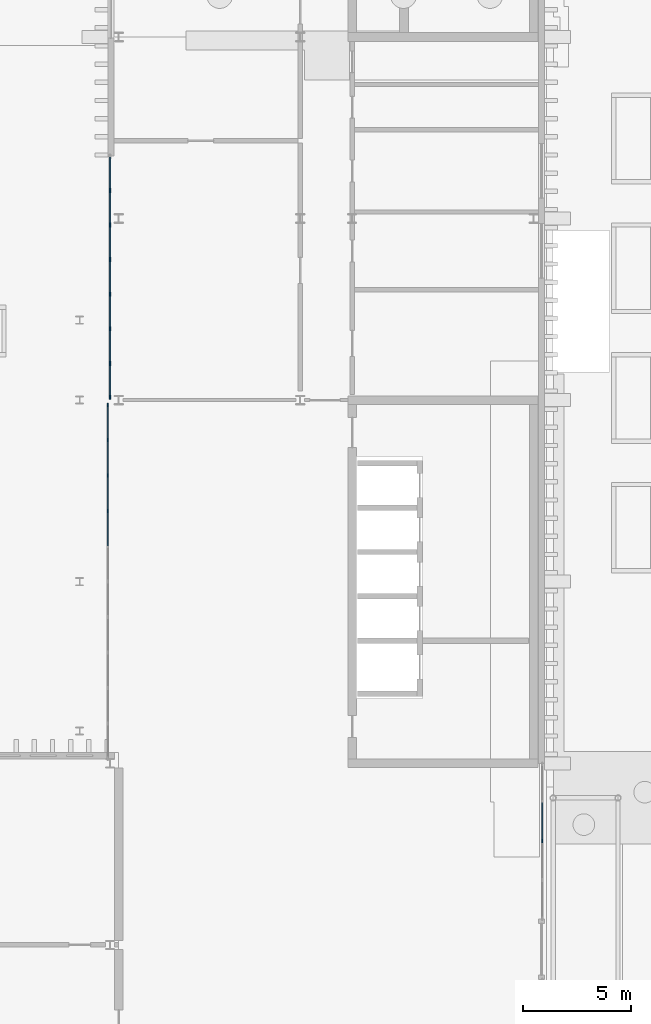
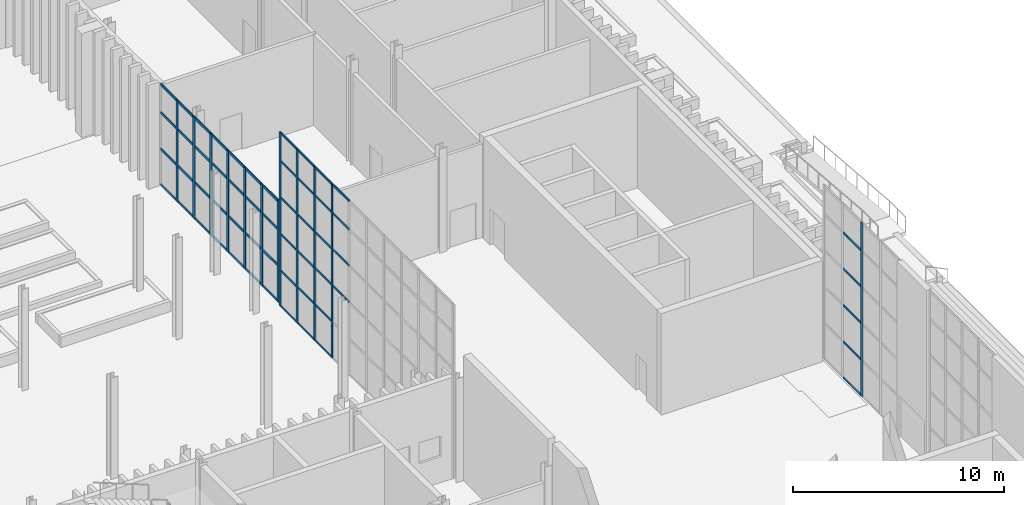
# One storey, part 41 of 108: 67 members, 3 elements without a shape of their own.
"""IFC4 building model written with IfcOpenShell, lengths in metres."""

from ifc_helpers import new_model, si_unit, direction, frame, origin, origin_2d, place, context, subcontext, project, spatial, rectangle, extrude, material, material_profile, profile_set, type_object, element, aggregate, save


model = new_model("IFC4")

# Units and contexts
model_context = context("Model", 3, precision=1e-05, world=origin(), true_north=direction((0.0, 1.0)))
body_context = subcontext(model_context, "Body", "Model", "MODEL_VIEW")
ifc_project = project(units=[si_unit("LENGTHUNIT", "METRE"), si_unit("AREAUNIT", "SQUARE_METRE"), si_unit("VOLUMEUNIT", "CUBIC_METRE"), si_unit("PLANEANGLEUNIT", "RADIAN"), si_unit("MASSUNIT", "GRAM", prefix="KILO")], contexts=[model_context])

# Site, building, storey
site_placement = place(None, origin())
site = spatial("IfcSite", under=ifc_project, at=site_placement, CompositionType="ELEMENT")
building_placement = place(site_placement, origin())
building = spatial("IfcBuilding", under=site, at=building_placement, Name="Cresset Court Congress Hotel", CompositionType="ELEMENT")
storey_placement = place(building_placement, origin())
storey = spatial("IfcBuildingStorey", under=building, at=storey_placement, Name="L00", CompositionType="ELEMENT", Elevation=0.0)

# Curtain wall, members
ifc_material_1 = material(Name="Aluminium and glass", Category="aluminium")
curtain_wall_type = type_object("IfcCurtainWallType", Name="Curtain wall 1680 module", PredefinedType="NOTDEFINED", material=ifc_material_1)
curtain_wall_1_placement = place(storey_placement, origin())
curtain_wall_1 = element("IfcCurtainWall", 1, at=curtain_wall_1_placement, inside=storey, type_object=curtain_wall_type, Name="Lobby glazing west", PredefinedType="NOTDEFINED")
ifc_material_2 = material(Name="Anodised aluminium", Category="aluminium")
ifc_material_profile_1 = material_profile(ifc_material_2, rectangle(XDim=0.06005859375, YDim=0.159912109375, at=origin_2d()), Name="AL60x160")
ifc_profile_set_1 = profile_set([ifc_material_profile_1], Name="Anodised aluminium")
member_type_1 = type_object("IfcMemberType", Name="Curtain wall mullion 60x160", PredefinedType="MULLION", material=ifc_profile_set_1)
member_1_placement = place(storey_placement, frame((156.699951171875, 36.8798828125, 0.0), z_axis=(0.0, 0.0, 1.0), x_axis=(-1.0, 0.0, 0.0)))
member_1 = element("IfcMember", 2, at=member_1_placement, type_object=member_type_1, Name="A-X1 mullion 8", PredefinedType="MULLION", context=body_context, shape_type="SweptSolid", body=[
    extrude(rectangle(XDim=0.06005859375, YDim=0.159912109375, at=origin_2d()), origin(), (0.0, 0.0, 1.0), 10.050048828125),
])
member_2_placement = place(storey_placement, frame((156.699951171875, 38.52001953125, 0.0), z_axis=(0.0, 0.0, 1.0), x_axis=(-1.0, 0.0, 0.0)))
member_2 = element("IfcMember", 3, at=member_2_placement, type_object=member_type_1, Name="A-X1 mullion 9", PredefinedType="MULLION", context=body_context, shape_type="SweptSolid", body=[
    extrude(rectangle(XDim=0.06005859375, YDim=0.159912109375, at=origin_2d()), origin(), (0.0, 0.0, 1.0), 10.050048828125),
])
member_3_placement = place(storey_placement, frame((156.699951171875, 40.159912109375, 0.0), z_axis=(0.0, 0.0, 1.0), x_axis=(-1.0, 0.0, 0.0)))
member_3 = element("IfcMember", 4, at=member_3_placement, type_object=member_type_1, Name="A-X1 mullion 10", PredefinedType="MULLION", context=body_context, shape_type="SweptSolid", body=[
    extrude(rectangle(XDim=0.06005859375, YDim=0.159912109375, at=origin_2d()), origin(), (0.0, 0.0, 1.0), 10.050048828125),
])
member_4_placement = place(storey_placement, frame((156.699951171875, 41.77001953125, 0.0), z_axis=(0.0, 0.0, 1.0), x_axis=(-1.0, 0.0, 0.0)))
member_4 = element("IfcMember", 5, at=member_4_placement, type_object=member_type_1, Name="A-X1 mullion 11", PredefinedType="MULLION", context=body_context, shape_type="SweptSolid", body=[
    extrude(rectangle(XDim=0.06005859375, YDim=0.159912109375, at=origin_2d()), origin(), (0.0, 0.0, 1.0), 10.050048828125),
])

# Curtain wall, member
curtain_wall_2_placement = place(storey_placement, origin())
curtain_wall_2 = element("IfcCurtainWall", 6, at=curtain_wall_2_placement, inside=storey, type_object=curtain_wall_type, Name="Entrance glazing north", PredefinedType="NOTDEFINED")
member_5_placement = place(storey_placement, frame((176.800048828125, 21.60009765625, 0.0), z_axis=(0.0, 0.0, 1.0), x_axis=(-1.0, 0.0, 0.0)))
member_5 = element("IfcMember", 7, at=member_5_placement, type_object=member_type_1, Name="A-X1 mullion 3", PredefinedType="MULLION", context=body_context, shape_type="SweptSolid", body=[
    extrude(rectangle(XDim=0.06005859375, YDim=0.159912109375, at=origin_2d()), origin(), (0.0, 0.0, 1.0), 10.050048828125),
])

# Curtain wall, members
curtain_wall_3_placement = place(storey_placement, origin())
curtain_wall_3 = element("IfcCurtainWall", 8, at=curtain_wall_3_placement, inside=storey, type_object=curtain_wall_type, Name="Garden restaurant glazing west", PredefinedType="NOTDEFINED")
ifc_material_3 = material(Name="Anodised aluminium", Category="aluminium")
ifc_material_profile_2 = material_profile(ifc_material_3, rectangle(XDim=0.06005859375, YDim=0.199951171875, at=origin_2d()), Name="RECT60x200")
ifc_profile_set_2 = profile_set([ifc_material_profile_2], Name="Anodised aluminium")
member_type_2 = type_object("IfcMemberType", Name="Curtain wall mullion 60x200", PredefinedType="MULLION", material=ifc_profile_set_2)
member_6_placement = place(storey_placement, frame((156.800048828125, 42.1298828125, 0.0), z_axis=(0.0, 0.0, 1.0), x_axis=(-1.0, 0.0, 0.0)))
member_6 = element("IfcMember", 9, at=member_6_placement, type_object=member_type_2, Name="A-X1 mullion 1", PredefinedType="MULLION", context=body_context, shape_type="SweptSolid", body=[
    extrude(rectangle(XDim=0.06005859375, YDim=0.199951171875, at=origin_2d()), origin(), (0.0, 0.0, 1.0), 5.85009765625),
])
member_7_placement = place(storey_placement, frame((156.800048828125, 43.699951171875, 0.0), z_axis=(0.0, 0.0, 1.0), x_axis=(-1.0, 0.0, 0.0)))
member_7 = element("IfcMember", 10, at=member_7_placement, type_object=member_type_2, Name="A-X1 mullion 2", PredefinedType="MULLION", context=body_context, shape_type="SweptSolid", body=[
    extrude(rectangle(XDim=0.06005859375, YDim=0.199951171875, at=origin_2d()), origin(), (0.0, 0.0, 1.0), 5.85009765625),
])
member_8_placement = place(storey_placement, frame((156.800048828125, 45.300048828125, 0.0), z_axis=(0.0, 0.0, 1.0), x_axis=(-1.0, 0.0, 0.0)))
member_8 = element("IfcMember", 11, at=member_8_placement, type_object=member_type_2, Name="A-X1 mullion 3", PredefinedType="MULLION", context=body_context, shape_type="SweptSolid", body=[
    extrude(rectangle(XDim=0.06005859375, YDim=0.199951171875, at=origin_2d()), origin(), (0.0, 0.0, 1.0), 5.85009765625),
])
member_9_placement = place(storey_placement, frame((156.800048828125, 46.89990234375, 0.0), z_axis=(0.0, 0.0, 1.0), x_axis=(-1.0, 0.0, 0.0)))
member_9 = element("IfcMember", 12, at=member_9_placement, type_object=member_type_2, Name="A-X1 mullion 4", PredefinedType="MULLION", context=body_context, shape_type="SweptSolid", body=[
    extrude(rectangle(XDim=0.06005859375, YDim=0.199951171875, at=origin_2d()), origin(), (0.0, 0.0, 1.0), 5.85009765625),
])
member_10_placement = place(storey_placement, frame((156.800048828125, 48.5, 0.0), z_axis=(0.0, 0.0, 1.0), x_axis=(-1.0, 0.0, 0.0)))
member_10 = element("IfcMember", 13, at=member_10_placement, type_object=member_type_2, Name="A-X1 mullion 5", PredefinedType="MULLION", context=body_context, shape_type="SweptSolid", body=[
    extrude(rectangle(XDim=0.06005859375, YDim=0.199951171875, at=origin_2d()), origin(), (0.0, 0.0, 1.0), 5.85009765625),
])
member_11_placement = place(storey_placement, frame((156.800048828125, 50.10009765625, 0.0), z_axis=(0.0, 0.0, 1.0), x_axis=(-1.0, 0.0, 0.0)))
member_11 = element("IfcMember", 14, at=member_11_placement, type_object=member_type_2, Name="A-X1 mullion 6", PredefinedType="MULLION", context=body_context, shape_type="SweptSolid", body=[
    extrude(rectangle(XDim=0.06005859375, YDim=0.199951171875, at=origin_2d()), origin(), (0.0, 0.0, 1.0), 5.85009765625),
])
member_12_placement = place(storey_placement, frame((156.800048828125, 51.699951171875, 0.0), z_axis=(0.0, 0.0, 1.0), x_axis=(-1.0, 0.0, 0.0)))
member_12 = element("IfcMember", 15, at=member_12_placement, type_object=member_type_2, Name="A-X1 mullion 7", PredefinedType="MULLION", context=body_context, shape_type="SweptSolid", body=[
    extrude(rectangle(XDim=0.06005859375, YDim=0.199951171875, at=origin_2d()), origin(), (0.0, 0.0, 1.0), 5.85009765625),
])

# Member
ifc_material_4 = material(Name="Anodised aluminium", Category="aluminium")
ifc_material_profile_3 = material_profile(ifc_material_4, rectangle(XDim=0.06005859375, YDim=0.1201171875, at=origin_2d()), Name="AL60x120")
ifc_profile_set_3 = profile_set([ifc_material_profile_3], Name="Anodised aluminium")
member_type_3 = type_object("IfcMemberType", Name="Curtain wall transom 60x120", PredefinedType="USERDEFINED", material=ifc_profile_set_3)
member_13_placement = place(storey_placement, frame((156.699951171875, 35.27001953125, 4.199951171875), z_axis=(0.0, 1.0, 0.0), x_axis=(-1.0, 0.0, 0.0)))
member_13 = element("IfcMember", 16, at=member_13_placement, type_object=member_type_3, Name="A-X1 transom 7.3", ObjectType="TRANSOM", PredefinedType="USERDEFINED", context=body_context, shape_type="SweptSolid", body=[
    extrude(rectangle(XDim=0.06005859375, YDim=0.1201171875, at=origin_2d()), origin(), (0.0, 0.0, 1.0), 1.580078125),
])

member_14_placement = place(storey_placement, frame((156.699951171875, 35.27001953125, 6.300048828125), z_axis=(0.0, 1.0, 0.0), x_axis=(-1.0, 0.0, 0.0)))
member_14 = element("IfcMember", 17, at=member_14_placement, type_object=member_type_3, Name="A-X1 transom 7.4", ObjectType="TRANSOM", PredefinedType="USERDEFINED", context=body_context, shape_type="SweptSolid", body=[
    extrude(rectangle(XDim=0.06005859375, YDim=0.1201171875, at=origin_2d()), origin(), (0.0, 0.0, 1.0), 1.580078125),
])

member_15_placement = place(storey_placement, frame((156.699951171875, 35.27001953125, 8.39990234375), z_axis=(0.0, 1.0, 0.0), x_axis=(-1.0, 0.0, 0.0)))
member_15 = element("IfcMember", 18, at=member_15_placement, type_object=member_type_3, Name="A-X1 transom 7.5", ObjectType="TRANSOM", PredefinedType="USERDEFINED", context=body_context, shape_type="SweptSolid", body=[
    extrude(rectangle(XDim=0.06005859375, YDim=0.1201171875, at=origin_2d()), origin(), (0.0, 0.0, 1.0), 1.580078125),
])

member_16_placement = place(storey_placement, frame((156.699951171875, 35.27001953125, 10.02001953125), z_axis=(0.0, 1.0, 0.0), x_axis=(-1.0, 0.0, 0.0)))
member_16 = element("IfcMember", 19, at=member_16_placement, type_object=member_type_3, Name="A-X1 transom 7.6", ObjectType="TRANSOM", PredefinedType="USERDEFINED", context=body_context, shape_type="SweptSolid", body=[
    extrude(rectangle(XDim=0.06005859375, YDim=0.1201171875, at=origin_2d()), origin(), (0.0, 0.0, 1.0), 1.580078125),
])

member_17_placement = place(storey_placement, frame((156.699951171875, 36.909912109375, 0.030029296875), z_axis=(0.0, 1.0, 0.0), x_axis=(-1.0, 0.0, 0.0)))
member_17 = element("IfcMember", 20, at=member_17_placement, type_object=member_type_3, Name="A-X1 transom 8.1", ObjectType="TRANSOM", PredefinedType="USERDEFINED", context=body_context, shape_type="SweptSolid", body=[
    extrude(rectangle(XDim=0.06005859375, YDim=0.1201171875, at=origin_2d()), origin(), (0.0, 0.0, 1.0), 1.580078125),
])

member_18_placement = place(storey_placement, frame((156.699951171875, 36.909912109375, 2.10009765625), z_axis=(0.0, 1.0, 0.0), x_axis=(-1.0, 0.0, 0.0)))
member_18 = element("IfcMember", 21, at=member_18_placement, type_object=member_type_3, Name="A-X1 transom 8.2", ObjectType="TRANSOM", PredefinedType="USERDEFINED", context=body_context, shape_type="SweptSolid", body=[
    extrude(rectangle(XDim=0.06005859375, YDim=0.1201171875, at=origin_2d()), origin(), (0.0, 0.0, 1.0), 1.580078125),
])

member_19_placement = place(storey_placement, frame((156.699951171875, 36.909912109375, 4.199951171875), z_axis=(0.0, 1.0, 0.0), x_axis=(-1.0, 0.0, 0.0)))
member_19 = element("IfcMember", 22, at=member_19_placement, type_object=member_type_3, Name="A-X1 transom 8.3", ObjectType="TRANSOM", PredefinedType="USERDEFINED", context=body_context, shape_type="SweptSolid", body=[
    extrude(rectangle(XDim=0.06005859375, YDim=0.1201171875, at=origin_2d()), origin(), (0.0, 0.0, 1.0), 1.580078125),
])

member_20_placement = place(storey_placement, frame((156.699951171875, 36.909912109375, 6.300048828125), z_axis=(0.0, 1.0, 0.0), x_axis=(-1.0, 0.0, 0.0)))
member_20 = element("IfcMember", 23, at=member_20_placement, type_object=member_type_3, Name="A-X1 transom 8.4", ObjectType="TRANSOM", PredefinedType="USERDEFINED", context=body_context, shape_type="SweptSolid", body=[
    extrude(rectangle(XDim=0.06005859375, YDim=0.1201171875, at=origin_2d()), origin(), (0.0, 0.0, 1.0), 1.580078125),
])

member_21_placement = place(storey_placement, frame((156.699951171875, 36.909912109375, 8.39990234375), z_axis=(0.0, 1.0, 0.0), x_axis=(-1.0, 0.0, 0.0)))
member_21 = element("IfcMember", 24, at=member_21_placement, type_object=member_type_3, Name="A-X1 transom 8.5", ObjectType="TRANSOM", PredefinedType="USERDEFINED", context=body_context, shape_type="SweptSolid", body=[
    extrude(rectangle(XDim=0.06005859375, YDim=0.1201171875, at=origin_2d()), origin(), (0.0, 0.0, 1.0), 1.580078125),
])

member_22_placement = place(storey_placement, frame((156.699951171875, 36.909912109375, 10.02001953125), z_axis=(0.0, 1.0, 0.0), x_axis=(-1.0, 0.0, 0.0)))
member_22 = element("IfcMember", 25, at=member_22_placement, type_object=member_type_3, Name="A-X1 transom 8.6", ObjectType="TRANSOM", PredefinedType="USERDEFINED", context=body_context, shape_type="SweptSolid", body=[
    extrude(rectangle(XDim=0.06005859375, YDim=0.1201171875, at=origin_2d()), origin(), (0.0, 0.0, 1.0), 1.580078125),
])

member_23_placement = place(storey_placement, frame((156.699951171875, 38.550048828125, 0.030029296875), z_axis=(0.0, 1.0, 0.0), x_axis=(-1.0, 0.0, 0.0)))
member_23 = element("IfcMember", 26, at=member_23_placement, type_object=member_type_3, Name="A-X1 transom 9.1", ObjectType="TRANSOM", PredefinedType="USERDEFINED", context=body_context, shape_type="SweptSolid", body=[
    extrude(rectangle(XDim=0.06005859375, YDim=0.1201171875, at=origin_2d()), origin(), (0.0, 0.0, 1.0), 1.579833984375),
])

member_24_placement = place(storey_placement, frame((156.699951171875, 38.550048828125, 2.10009765625), z_axis=(0.0, 1.0, 0.0), x_axis=(-1.0, 0.0, 0.0)))
member_24 = element("IfcMember", 27, at=member_24_placement, type_object=member_type_3, Name="A-X1 transom 9.2", ObjectType="TRANSOM", PredefinedType="USERDEFINED", context=body_context, shape_type="SweptSolid", body=[
    extrude(rectangle(XDim=0.06005859375, YDim=0.1201171875, at=origin_2d()), origin(), (0.0, 0.0, 1.0), 1.579833984375),
])

member_25_placement = place(storey_placement, frame((156.699951171875, 38.550048828125, 4.199951171875), z_axis=(0.0, 1.0, 0.0), x_axis=(-1.0, 0.0, 0.0)))
member_25 = element("IfcMember", 28, at=member_25_placement, type_object=member_type_3, Name="A-X1 transom 9.3", ObjectType="TRANSOM", PredefinedType="USERDEFINED", context=body_context, shape_type="SweptSolid", body=[
    extrude(rectangle(XDim=0.06005859375, YDim=0.1201171875, at=origin_2d()), origin(), (0.0, 0.0, 1.0), 1.579833984375),
])

member_26_placement = place(storey_placement, frame((156.699951171875, 38.550048828125, 6.300048828125), z_axis=(0.0, 1.0, 0.0), x_axis=(-1.0, 0.0, 0.0)))
member_26 = element("IfcMember", 29, at=member_26_placement, type_object=member_type_3, Name="A-X1 transom 9.4", ObjectType="TRANSOM", PredefinedType="USERDEFINED", context=body_context, shape_type="SweptSolid", body=[
    extrude(rectangle(XDim=0.06005859375, YDim=0.1201171875, at=origin_2d()), origin(), (0.0, 0.0, 1.0), 1.579833984375),
])

member_27_placement = place(storey_placement, frame((156.699951171875, 38.550048828125, 8.39990234375), z_axis=(0.0, 1.0, 0.0), x_axis=(-1.0, 0.0, 0.0)))
member_27 = element("IfcMember", 30, at=member_27_placement, type_object=member_type_3, Name="A-X1 transom 9.5", ObjectType="TRANSOM", PredefinedType="USERDEFINED", context=body_context, shape_type="SweptSolid", body=[
    extrude(rectangle(XDim=0.06005859375, YDim=0.1201171875, at=origin_2d()), origin(), (0.0, 0.0, 1.0), 1.579833984375),
])

member_28_placement = place(storey_placement, frame((156.699951171875, 38.550048828125, 10.02001953125), z_axis=(0.0, 1.0, 0.0), x_axis=(-1.0, 0.0, 0.0)))
member_28 = element("IfcMember", 31, at=member_28_placement, type_object=member_type_3, Name="A-X1 transom 9.6", ObjectType="TRANSOM", PredefinedType="USERDEFINED", context=body_context, shape_type="SweptSolid", body=[
    extrude(rectangle(XDim=0.06005859375, YDim=0.1201171875, at=origin_2d()), origin(), (0.0, 0.0, 1.0), 1.579833984375),
])

member_29_placement = place(storey_placement, frame((156.699951171875, 40.18994140625, 0.030029296875), z_axis=(0.0, 1.0, 0.0), x_axis=(-1.0, 0.0, 0.0)))
member_29 = element("IfcMember", 32, at=member_29_placement, type_object=member_type_3, Name="A-X1 transom 10.1", ObjectType="TRANSOM", PredefinedType="USERDEFINED", context=body_context, shape_type="SweptSolid", body=[
    extrude(rectangle(XDim=0.06005859375, YDim=0.1201171875, at=origin_2d()), origin(), (0.0, 0.0, 1.0), 1.550048828125),
])

member_30_placement = place(storey_placement, frame((156.699951171875, 40.18994140625, 2.10009765625), z_axis=(0.0, 1.0, 0.0), x_axis=(-1.0, 0.0, 0.0)))
member_30 = element("IfcMember", 33, at=member_30_placement, type_object=member_type_3, Name="A-X1 transom 10.2", ObjectType="TRANSOM", PredefinedType="USERDEFINED", context=body_context, shape_type="SweptSolid", body=[
    extrude(rectangle(XDim=0.06005859375, YDim=0.1201171875, at=origin_2d()), origin(), (0.0, 0.0, 1.0), 1.550048828125),
])

member_31_placement = place(storey_placement, frame((156.699951171875, 40.18994140625, 4.199951171875), z_axis=(0.0, 1.0, 0.0), x_axis=(-1.0, 0.0, 0.0)))
member_31 = element("IfcMember", 34, at=member_31_placement, type_object=member_type_3, Name="A-X1 transom 10.3", ObjectType="TRANSOM", PredefinedType="USERDEFINED", context=body_context, shape_type="SweptSolid", body=[
    extrude(rectangle(XDim=0.06005859375, YDim=0.1201171875, at=origin_2d()), origin(), (0.0, 0.0, 1.0), 1.550048828125),
])

member_32_placement = place(storey_placement, frame((156.699951171875, 40.18994140625, 6.300048828125), z_axis=(0.0, 1.0, 0.0), x_axis=(-1.0, 0.0, 0.0)))
member_32 = element("IfcMember", 35, at=member_32_placement, type_object=member_type_3, Name="A-X1 transom 10.4", ObjectType="TRANSOM", PredefinedType="USERDEFINED", context=body_context, shape_type="SweptSolid", body=[
    extrude(rectangle(XDim=0.06005859375, YDim=0.1201171875, at=origin_2d()), origin(), (0.0, 0.0, 1.0), 1.550048828125),
])

member_33_placement = place(storey_placement, frame((156.699951171875, 40.18994140625, 8.39990234375), z_axis=(0.0, 1.0, 0.0), x_axis=(-1.0, 0.0, 0.0)))
member_33 = element("IfcMember", 36, at=member_33_placement, type_object=member_type_3, Name="A-X1 transom 10.5", ObjectType="TRANSOM", PredefinedType="USERDEFINED", context=body_context, shape_type="SweptSolid", body=[
    extrude(rectangle(XDim=0.06005859375, YDim=0.1201171875, at=origin_2d()), origin(), (0.0, 0.0, 1.0), 1.550048828125),
])

member_34_placement = place(storey_placement, frame((156.699951171875, 40.18994140625, 10.02001953125), z_axis=(0.0, 1.0, 0.0), x_axis=(-1.0, 0.0, 0.0)))
member_34 = element("IfcMember", 37, at=member_34_placement, type_object=member_type_3, Name="A-X1 transom 10.6", ObjectType="TRANSOM", PredefinedType="USERDEFINED", context=body_context, shape_type="SweptSolid", body=[
    extrude(rectangle(XDim=0.06005859375, YDim=0.1201171875, at=origin_2d()), origin(), (0.0, 0.0, 1.0), 1.550048828125),
])

aggregate(curtain_wall_1, [member_1, member_2, member_3, member_4, member_13, member_14, member_15, member_16, member_17, member_18, member_19, member_20, member_21, member_22, member_23, member_24, member_25, member_26, member_27, member_28, member_29, member_30, member_31, member_32, member_33, member_34])

member_35_placement = place(storey_placement, frame((176.800048828125, 21.6298828125, 0.030029296875), z_axis=(0.0, 1.0, 0.0), x_axis=(-1.0, 0.0, 0.0)))
member_35 = element("IfcMember", 38, at=member_35_placement, type_object=member_type_3, Name="A-X1 transom 3.1", ObjectType="TRANSOM", PredefinedType="USERDEFINED", context=body_context, shape_type="SweptSolid", body=[
    extrude(rectangle(XDim=0.06005859375, YDim=0.1201171875, at=origin_2d()), origin(), (0.0, 0.0, 1.0), 1.740234375),
])

member_36_placement = place(storey_placement, frame((176.800048828125, 21.6298828125, 2.10009765625), z_axis=(0.0, 1.0, 0.0), x_axis=(-1.0, 0.0, 0.0)))
member_36 = element("IfcMember", 39, at=member_36_placement, type_object=member_type_3, Name="A-X1 transom 3.2", ObjectType="TRANSOM", PredefinedType="USERDEFINED", context=body_context, shape_type="SweptSolid", body=[
    extrude(rectangle(XDim=0.06005859375, YDim=0.1201171875, at=origin_2d()), origin(), (0.0, 0.0, 1.0), 1.740234375),
])

member_37_placement = place(storey_placement, frame((176.800048828125, 21.6298828125, 4.199951171875), z_axis=(0.0, 1.0, 0.0), x_axis=(-1.0, 0.0, 0.0)))
member_37 = element("IfcMember", 40, at=member_37_placement, type_object=member_type_3, Name="A-X1 transom 3.3", ObjectType="TRANSOM", PredefinedType="USERDEFINED", context=body_context, shape_type="SweptSolid", body=[
    extrude(rectangle(XDim=0.06005859375, YDim=0.1201171875, at=origin_2d()), origin(), (0.0, 0.0, 1.0), 1.740234375),
])

member_38_placement = place(storey_placement, frame((176.800048828125, 21.6298828125, 6.300048828125), z_axis=(0.0, 1.0, 0.0), x_axis=(-1.0, 0.0, 0.0)))
member_38 = element("IfcMember", 41, at=member_38_placement, type_object=member_type_3, Name="A-X1 transom 3.4", ObjectType="TRANSOM", PredefinedType="USERDEFINED", context=body_context, shape_type="SweptSolid", body=[
    extrude(rectangle(XDim=0.06005859375, YDim=0.1201171875, at=origin_2d()), origin(), (0.0, 0.0, 1.0), 1.740234375),
])

member_39_placement = place(storey_placement, frame((176.800048828125, 21.6298828125, 8.39990234375), z_axis=(0.0, 1.0, 0.0), x_axis=(-1.0, 0.0, 0.0)))
member_39 = element("IfcMember", 42, at=member_39_placement, type_object=member_type_3, Name="A-X1 transom 3.5", ObjectType="TRANSOM", PredefinedType="USERDEFINED", context=body_context, shape_type="SweptSolid", body=[
    extrude(rectangle(XDim=0.06005859375, YDim=0.1201171875, at=origin_2d()), origin(), (0.0, 0.0, 1.0), 1.740234375),
])

aggregate(curtain_wall_2, [member_5, member_35, member_36, member_37, member_38, member_39])

ifc_material_5 = material(Name="Anodised aluminium", Category="aluminium")
ifc_material_profile_4 = material_profile(ifc_material_5, rectangle(XDim=0.06005859375, YDim=0.14990234375, at=origin_2d()), Name="RECT60x150")
ifc_profile_set_4 = profile_set([ifc_material_profile_4], Name="Anodised aluminium")
member_type_4 = type_object("IfcMemberType", Name="Curtain wall transom 60x150", PredefinedType="USERDEFINED", material=ifc_profile_set_4)
member_40_placement = place(storey_placement, frame((156.800048828125, 42.159912109375, 0.030029296875), z_axis=(0.0, 1.0, 0.0), x_axis=(-1.0, 0.0, 0.0)))
member_40 = element("IfcMember", 43, at=member_40_placement, type_object=member_type_4, Name="A-X1 transom 1.1", ObjectType="TRANSOM", PredefinedType="USERDEFINED", context=body_context, shape_type="SweptSolid", body=[
    extrude(rectangle(XDim=0.06005859375, YDim=0.14990234375, at=origin_2d()), origin(), (0.0, 0.0, 1.0), 1.510009765625),
])

member_41_placement = place(storey_placement, frame((156.800048828125, 42.159912109375, 2.10009765625), z_axis=(0.0, 1.0, 0.0), x_axis=(-1.0, 0.0, 0.0)))
member_41 = element("IfcMember", 44, at=member_41_placement, type_object=member_type_4, Name="A-X1 transom 1.2", ObjectType="TRANSOM", PredefinedType="USERDEFINED", context=body_context, shape_type="SweptSolid", body=[
    extrude(rectangle(XDim=0.06005859375, YDim=0.14990234375, at=origin_2d()), origin(), (0.0, 0.0, 1.0), 1.510009765625),
])

member_42_placement = place(storey_placement, frame((156.800048828125, 42.159912109375, 4.199951171875), z_axis=(0.0, 1.0, 0.0), x_axis=(-1.0, 0.0, 0.0)))
member_42 = element("IfcMember", 45, at=member_42_placement, type_object=member_type_4, Name="A-X1 transom 1.3", ObjectType="TRANSOM", PredefinedType="USERDEFINED", context=body_context, shape_type="SweptSolid", body=[
    extrude(rectangle(XDim=0.06005859375, YDim=0.14990234375, at=origin_2d()), origin(), (0.0, 0.0, 1.0), 1.510009765625),
])

member_43_placement = place(storey_placement, frame((156.800048828125, 42.159912109375, 5.820068359375), z_axis=(0.0, 1.0, 0.0), x_axis=(-1.0, 0.0, 0.0)))
member_43 = element("IfcMember", 46, at=member_43_placement, type_object=member_type_4, Name="A-X1 transom 1.4", ObjectType="TRANSOM", PredefinedType="USERDEFINED", context=body_context, shape_type="SweptSolid", body=[
    extrude(rectangle(XDim=0.06005859375, YDim=0.14990234375, at=origin_2d()), origin(), (0.0, 0.0, 1.0), 1.510009765625),
])

member_44_placement = place(storey_placement, frame((156.800048828125, 43.72998046875, 0.030029296875), z_axis=(0.0, 1.0, 0.0), x_axis=(-1.0, 0.0, 0.0)))
member_44 = element("IfcMember", 47, at=member_44_placement, type_object=member_type_4, Name="A-X1 transom 2.1", ObjectType="TRANSOM", PredefinedType="USERDEFINED", context=body_context, shape_type="SweptSolid", body=[
    extrude(rectangle(XDim=0.06005859375, YDim=0.14990234375, at=origin_2d()), origin(), (0.0, 0.0, 1.0), 1.5400390625),
])

member_45_placement = place(storey_placement, frame((156.800048828125, 43.72998046875, 2.10009765625), z_axis=(0.0, 1.0, 0.0), x_axis=(-1.0, 0.0, 0.0)))
member_45 = element("IfcMember", 48, at=member_45_placement, type_object=member_type_4, Name="A-X1 transom 2.2", ObjectType="TRANSOM", PredefinedType="USERDEFINED", context=body_context, shape_type="SweptSolid", body=[
    extrude(rectangle(XDim=0.06005859375, YDim=0.14990234375, at=origin_2d()), origin(), (0.0, 0.0, 1.0), 1.5400390625),
])

member_46_placement = place(storey_placement, frame((156.800048828125, 43.72998046875, 4.199951171875), z_axis=(0.0, 1.0, 0.0), x_axis=(-1.0, 0.0, 0.0)))
member_46 = element("IfcMember", 49, at=member_46_placement, type_object=member_type_4, Name="A-X1 transom 2.3", ObjectType="TRANSOM", PredefinedType="USERDEFINED", context=body_context, shape_type="SweptSolid", body=[
    extrude(rectangle(XDim=0.06005859375, YDim=0.14990234375, at=origin_2d()), origin(), (0.0, 0.0, 1.0), 1.5400390625),
])

member_47_placement = place(storey_placement, frame((156.800048828125, 43.72998046875, 5.820068359375), z_axis=(0.0, 1.0, 0.0), x_axis=(-1.0, 0.0, 0.0)))
member_47 = element("IfcMember", 50, at=member_47_placement, type_object=member_type_4, Name="A-X1 transom 2.4", ObjectType="TRANSOM", PredefinedType="USERDEFINED", context=body_context, shape_type="SweptSolid", body=[
    extrude(rectangle(XDim=0.06005859375, YDim=0.14990234375, at=origin_2d()), origin(), (0.0, 0.0, 1.0), 1.5400390625),
])

member_48_placement = place(storey_placement, frame((156.800048828125, 45.330078125, 0.030029296875), z_axis=(0.0, 1.0, 0.0), x_axis=(-1.0, 0.0, 0.0)))
member_48 = element("IfcMember", 51, at=member_48_placement, type_object=member_type_4, Name="A-X1 transom 3.1", ObjectType="TRANSOM", PredefinedType="USERDEFINED", context=body_context, shape_type="SweptSolid", body=[
    extrude(rectangle(XDim=0.06005859375, YDim=0.14990234375, at=origin_2d()), origin(), (0.0, 0.0, 1.0), 1.5400390625),
])

member_49_placement = place(storey_placement, frame((156.800048828125, 45.330078125, 2.10009765625), z_axis=(0.0, 1.0, 0.0), x_axis=(-1.0, 0.0, 0.0)))
member_49 = element("IfcMember", 52, at=member_49_placement, type_object=member_type_4, Name="A-X1 transom 3.2", ObjectType="TRANSOM", PredefinedType="USERDEFINED", context=body_context, shape_type="SweptSolid", body=[
    extrude(rectangle(XDim=0.06005859375, YDim=0.14990234375, at=origin_2d()), origin(), (0.0, 0.0, 1.0), 1.5400390625),
])

member_50_placement = place(storey_placement, frame((156.800048828125, 45.330078125, 4.199951171875), z_axis=(0.0, 1.0, 0.0), x_axis=(-1.0, 0.0, 0.0)))
member_50 = element("IfcMember", 53, at=member_50_placement, type_object=member_type_4, Name="A-X1 transom 3.3", ObjectType="TRANSOM", PredefinedType="USERDEFINED", context=body_context, shape_type="SweptSolid", body=[
    extrude(rectangle(XDim=0.06005859375, YDim=0.14990234375, at=origin_2d()), origin(), (0.0, 0.0, 1.0), 1.5400390625),
])

member_51_placement = place(storey_placement, frame((156.800048828125, 45.330078125, 5.820068359375), z_axis=(0.0, 1.0, 0.0), x_axis=(-1.0, 0.0, 0.0)))
member_51 = element("IfcMember", 54, at=member_51_placement, type_object=member_type_4, Name="A-X1 transom 3.4", ObjectType="TRANSOM", PredefinedType="USERDEFINED", context=body_context, shape_type="SweptSolid", body=[
    extrude(rectangle(XDim=0.06005859375, YDim=0.14990234375, at=origin_2d()), origin(), (0.0, 0.0, 1.0), 1.5400390625),
])

member_52_placement = place(storey_placement, frame((156.800048828125, 46.929931640625, 0.030029296875), z_axis=(0.0, 1.0, 0.0), x_axis=(-1.0, 0.0, 0.0)))
member_52 = element("IfcMember", 55, at=member_52_placement, type_object=member_type_4, Name="A-X1 transom 4.1", ObjectType="TRANSOM", PredefinedType="USERDEFINED", context=body_context, shape_type="SweptSolid", body=[
    extrude(rectangle(XDim=0.06005859375, YDim=0.14990234375, at=origin_2d()), origin(), (0.0, 0.0, 1.0), 1.5400390625),
])

member_53_placement = place(storey_placement, frame((156.800048828125, 46.929931640625, 2.10009765625), z_axis=(0.0, 1.0, 0.0), x_axis=(-1.0, 0.0, 0.0)))
member_53 = element("IfcMember", 56, at=member_53_placement, type_object=member_type_4, Name="A-X1 transom 4.2", ObjectType="TRANSOM", PredefinedType="USERDEFINED", context=body_context, shape_type="SweptSolid", body=[
    extrude(rectangle(XDim=0.06005859375, YDim=0.14990234375, at=origin_2d()), origin(), (0.0, 0.0, 1.0), 1.5400390625),
])

member_54_placement = place(storey_placement, frame((156.800048828125, 46.929931640625, 4.199951171875), z_axis=(0.0, 1.0, 0.0), x_axis=(-1.0, 0.0, 0.0)))
member_54 = element("IfcMember", 57, at=member_54_placement, type_object=member_type_4, Name="A-X1 transom 4.3", ObjectType="TRANSOM", PredefinedType="USERDEFINED", context=body_context, shape_type="SweptSolid", body=[
    extrude(rectangle(XDim=0.06005859375, YDim=0.14990234375, at=origin_2d()), origin(), (0.0, 0.0, 1.0), 1.5400390625),
])

member_55_placement = place(storey_placement, frame((156.800048828125, 46.929931640625, 5.820068359375), z_axis=(0.0, 1.0, 0.0), x_axis=(-1.0, 0.0, 0.0)))
member_55 = element("IfcMember", 58, at=member_55_placement, type_object=member_type_4, Name="A-X1 transom 4.4", ObjectType="TRANSOM", PredefinedType="USERDEFINED", context=body_context, shape_type="SweptSolid", body=[
    extrude(rectangle(XDim=0.06005859375, YDim=0.14990234375, at=origin_2d()), origin(), (0.0, 0.0, 1.0), 1.5400390625),
])

member_56_placement = place(storey_placement, frame((156.800048828125, 48.530029296875, 0.030029296875), z_axis=(0.0, 1.0, 0.0), x_axis=(-1.0, 0.0, 0.0)))
member_56 = element("IfcMember", 59, at=member_56_placement, type_object=member_type_4, Name="A-X1 transom 5.1", ObjectType="TRANSOM", PredefinedType="USERDEFINED", context=body_context, shape_type="SweptSolid", body=[
    extrude(rectangle(XDim=0.06005859375, YDim=0.14990234375, at=origin_2d()), origin(), (0.0, 0.0, 1.0), 1.5400390625),
])

member_57_placement = place(storey_placement, frame((156.800048828125, 48.530029296875, 2.10009765625), z_axis=(0.0, 1.0, 0.0), x_axis=(-1.0, 0.0, 0.0)))
member_57 = element("IfcMember", 60, at=member_57_placement, type_object=member_type_4, Name="A-X1 transom 5.2", ObjectType="TRANSOM", PredefinedType="USERDEFINED", context=body_context, shape_type="SweptSolid", body=[
    extrude(rectangle(XDim=0.06005859375, YDim=0.14990234375, at=origin_2d()), origin(), (0.0, 0.0, 1.0), 1.5400390625),
])

member_58_placement = place(storey_placement, frame((156.800048828125, 48.530029296875, 4.199951171875), z_axis=(0.0, 1.0, 0.0), x_axis=(-1.0, 0.0, 0.0)))
member_58 = element("IfcMember", 61, at=member_58_placement, type_object=member_type_4, Name="A-X1 transom 5.3", ObjectType="TRANSOM", PredefinedType="USERDEFINED", context=body_context, shape_type="SweptSolid", body=[
    extrude(rectangle(XDim=0.06005859375, YDim=0.14990234375, at=origin_2d()), origin(), (0.0, 0.0, 1.0), 1.5400390625),
])

member_59_placement = place(storey_placement, frame((156.800048828125, 48.530029296875, 5.820068359375), z_axis=(0.0, 1.0, 0.0), x_axis=(-1.0, 0.0, 0.0)))
member_59 = element("IfcMember", 62, at=member_59_placement, type_object=member_type_4, Name="A-X1 transom 5.4", ObjectType="TRANSOM", PredefinedType="USERDEFINED", context=body_context, shape_type="SweptSolid", body=[
    extrude(rectangle(XDim=0.06005859375, YDim=0.14990234375, at=origin_2d()), origin(), (0.0, 0.0, 1.0), 1.5400390625),
])

member_60_placement = place(storey_placement, frame((156.800048828125, 50.1298828125, 0.030029296875), z_axis=(0.0, 1.0, 0.0), x_axis=(-1.0, 0.0, 0.0)))
member_60 = element("IfcMember", 63, at=member_60_placement, type_object=member_type_4, Name="A-X1 transom 6.1", ObjectType="TRANSOM", PredefinedType="USERDEFINED", context=body_context, shape_type="SweptSolid", body=[
    extrude(rectangle(XDim=0.06005859375, YDim=0.14990234375, at=origin_2d()), origin(), (0.0, 0.0, 1.0), 1.5400390625),
])

member_61_placement = place(storey_placement, frame((156.800048828125, 50.1298828125, 2.10009765625), z_axis=(0.0, 1.0, 0.0), x_axis=(-1.0, 0.0, 0.0)))
member_61 = element("IfcMember", 64, at=member_61_placement, type_object=member_type_4, Name="A-X1 transom 6.2", ObjectType="TRANSOM", PredefinedType="USERDEFINED", context=body_context, shape_type="SweptSolid", body=[
    extrude(rectangle(XDim=0.06005859375, YDim=0.14990234375, at=origin_2d()), origin(), (0.0, 0.0, 1.0), 1.5400390625),
])

member_62_placement = place(storey_placement, frame((156.800048828125, 50.1298828125, 4.199951171875), z_axis=(0.0, 1.0, 0.0), x_axis=(-1.0, 0.0, 0.0)))
member_62 = element("IfcMember", 65, at=member_62_placement, type_object=member_type_4, Name="A-X1 transom 6.3", ObjectType="TRANSOM", PredefinedType="USERDEFINED", context=body_context, shape_type="SweptSolid", body=[
    extrude(rectangle(XDim=0.06005859375, YDim=0.14990234375, at=origin_2d()), origin(), (0.0, 0.0, 1.0), 1.5400390625),
])

member_63_placement = place(storey_placement, frame((156.800048828125, 50.1298828125, 5.820068359375), z_axis=(0.0, 1.0, 0.0), x_axis=(-1.0, 0.0, 0.0)))
member_63 = element("IfcMember", 66, at=member_63_placement, type_object=member_type_4, Name="A-X1 transom 6.4", ObjectType="TRANSOM", PredefinedType="USERDEFINED", context=body_context, shape_type="SweptSolid", body=[
    extrude(rectangle(XDim=0.06005859375, YDim=0.14990234375, at=origin_2d()), origin(), (0.0, 0.0, 1.0), 1.5400390625),
])

member_64_placement = place(storey_placement, frame((156.800048828125, 51.72998046875, 0.030029296875), z_axis=(0.0, 1.0, 0.0), x_axis=(-1.0, 0.0, 0.0)))
member_64 = element("IfcMember", 67, at=member_64_placement, type_object=member_type_4, Name="A-X1 transom 7.1", ObjectType="TRANSOM", PredefinedType="USERDEFINED", context=body_context, shape_type="SweptSolid", body=[
    extrude(rectangle(XDim=0.06005859375, YDim=0.14990234375, at=origin_2d()), origin(), (0.0, 0.0, 1.0), 1.510009765625),
])

member_65_placement = place(storey_placement, frame((156.800048828125, 51.72998046875, 2.10009765625), z_axis=(0.0, 1.0, 0.0), x_axis=(-1.0, 0.0, 0.0)))
member_65 = element("IfcMember", 68, at=member_65_placement, type_object=member_type_4, Name="A-X1 transom 7.2", ObjectType="TRANSOM", PredefinedType="USERDEFINED", context=body_context, shape_type="SweptSolid", body=[
    extrude(rectangle(XDim=0.06005859375, YDim=0.14990234375, at=origin_2d()), origin(), (0.0, 0.0, 1.0), 1.510009765625),
])

member_66_placement = place(storey_placement, frame((156.800048828125, 51.72998046875, 4.199951171875), z_axis=(0.0, 1.0, 0.0), x_axis=(-1.0, 0.0, 0.0)))
member_66 = element("IfcMember", 69, at=member_66_placement, type_object=member_type_4, Name="A-X1 transom 7.3", ObjectType="TRANSOM", PredefinedType="USERDEFINED", context=body_context, shape_type="SweptSolid", body=[
    extrude(rectangle(XDim=0.06005859375, YDim=0.14990234375, at=origin_2d()), origin(), (0.0, 0.0, 1.0), 1.510009765625),
])

member_67_placement = place(storey_placement, frame((156.800048828125, 51.72998046875, 5.820068359375), z_axis=(0.0, 1.0, 0.0), x_axis=(-1.0, 0.0, 0.0)))
member_67 = element("IfcMember", 70, at=member_67_placement, type_object=member_type_4, Name="A-X1 transom 7.4", ObjectType="TRANSOM", PredefinedType="USERDEFINED", context=body_context, shape_type="SweptSolid", body=[
    extrude(rectangle(XDim=0.06005859375, YDim=0.14990234375, at=origin_2d()), origin(), (0.0, 0.0, 1.0), 1.510009765625),
])

aggregate(curtain_wall_3, [member_6, member_7, member_8, member_9, member_10, member_11, member_12, member_40, member_41, member_42, member_43, member_44, member_45, member_46, member_47, member_48, member_49, member_50, member_51, member_52, member_53, member_54, member_55, member_56, member_57, member_58, member_59, member_60, member_61, member_62, member_63, member_64, member_65, member_66, member_67])

save(model, "model.ifc")
